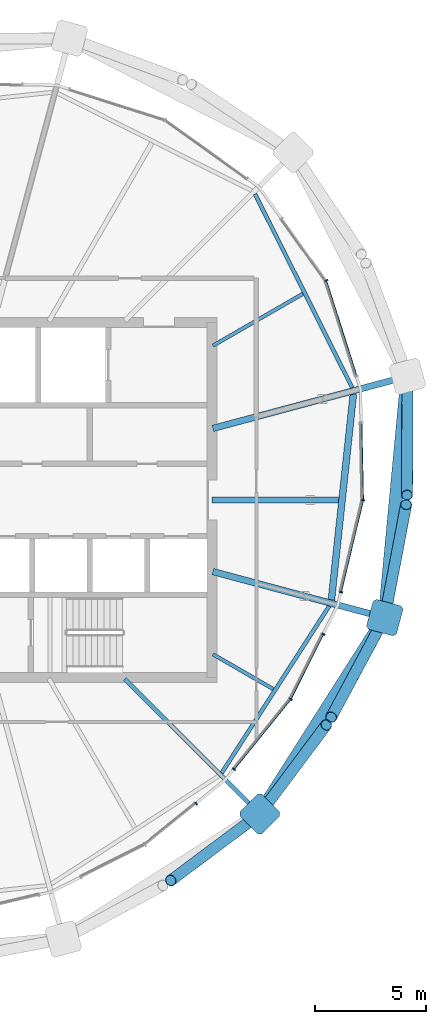
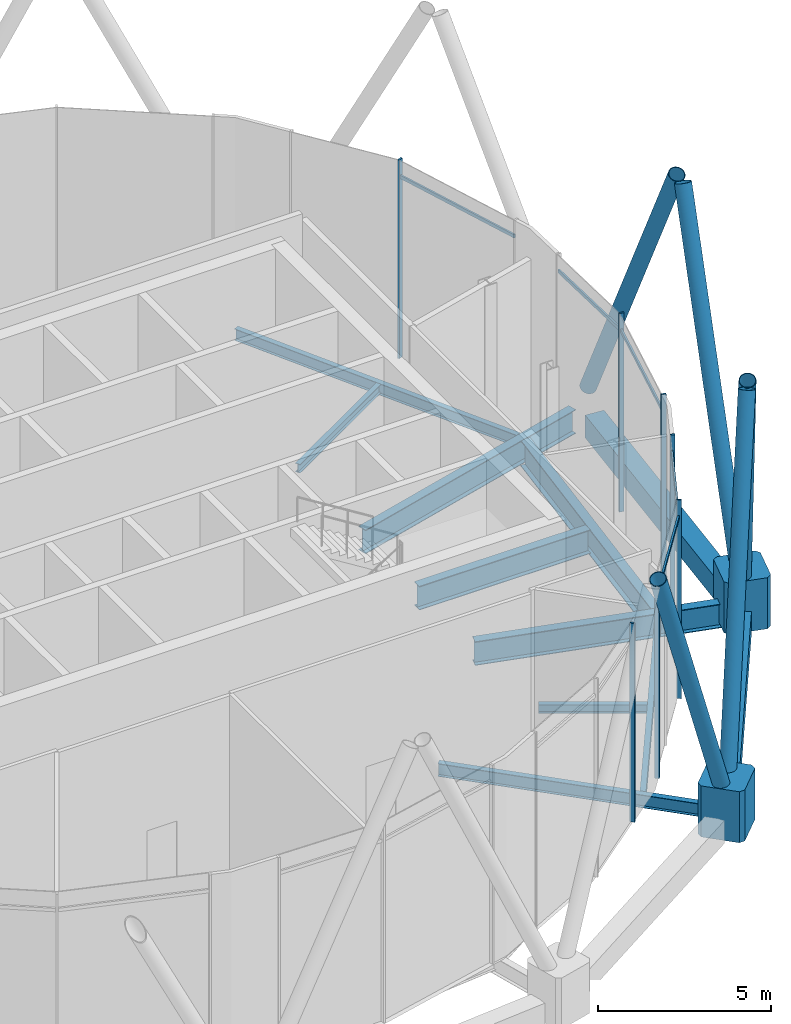
# One storey, part 12 of 28: 19 members, 11 beams, 1 element without a shape of its own.
"""IFC4 building model written with IfcOpenShell, lengths in metres."""

from ifc_helpers import new_model, si_unit, direction, frame, origin, origin_2d, place, context, subcontext, project, spatial, polyline, rectangle, hollow_rectangle, hollow_circle, i_section, outline, extrude, material, material_profile, profile_set, type_object, element, aggregate, save


model = new_model("IFC4")

# Units and contexts
model_context = context("Model", 3, precision=1e-05, world=origin(), true_north=direction((0.0, 1.0)))
body_context = subcontext(model_context, "Body", "Model", "MODEL_VIEW")
ifc_project = project(units=[si_unit("LENGTHUNIT", "METRE"), si_unit("AREAUNIT", "SQUARE_METRE"), si_unit("VOLUMEUNIT", "CUBIC_METRE"), si_unit("PLANEANGLEUNIT", "RADIAN"), si_unit("MASSUNIT", "GRAM", prefix="KILO")], contexts=[model_context])

# Site, building, storey
site_placement = place(None, origin())
site = spatial("IfcSite", under=ifc_project, at=site_placement, CompositionType="ELEMENT")
building_placement = place(site_placement, origin())
building = spatial("IfcBuilding", under=site, at=building_placement, Name="Rimbun Link Towers", CompositionType="ELEMENT")
storey_placement = place(building_placement, frame((0.0, 0.0, 256.10009765625)))
storey = spatial("IfcBuildingStorey", under=building, at=storey_placement, Name="L63", CompositionType="ELEMENT", Elevation=256.10009765625)

# Curtain wall, members
ifc_material_1 = material(Name="Aluminium 6063-T6 and low-iron glass", Category="aluminium")
curtain_wall_type = type_object("IfcCurtainWallType", Name="CW5 full height lobby wall", PredefinedType="NOTDEFINED", material=ifc_material_1)
curtain_wall_placement = place(storey_placement, origin())
curtain_wall = element("IfcCurtainWall", 1, at=curtain_wall_placement, inside=storey, type_object=curtain_wall_type, Name="CW5 L63 T2", PredefinedType="NOTDEFINED")
ifc_material_2 = material(Name="Aluminium 6063-T6", Category="aluminium")
ifc_material_profile_1 = material_profile(ifc_material_2, rectangle(XDim=0.14990234375, YDim=0.06005859375, at=origin_2d()), Name="MULLION 60X150")
ifc_profile_set_1 = profile_set([ifc_material_profile_1], Name="Aluminium 6063-T6")
member_type_1 = type_object("IfcMemberType", Name="CW5 mullion 60X150", PredefinedType="MULLION", material=ifc_profile_set_1)
member_1_placement = place(storey_placement, frame((43.037109375, -13.689208984375, 0.0), z_axis=(0.0, 0.0, 1.0), x_axis=(0.629143843402, -0.777288893726, 0.0)))
member_1 = element("IfcMember", 2, at=member_1_placement, type_object=member_type_1, Name="CW5 mullion", PredefinedType="MULLION", context=body_context, shape_type="SweptSolid", body=[
    extrude(rectangle(XDim=0.14990234375, YDim=0.06005859375, at=origin_2d()), origin(), (0.0, 0.0, 1.0), 7.0),
])
member_2_placement = place(storey_placement, frame((47.302978515625, -8.983642578125, 0.0), z_axis=(0.0, 0.0, 1.0), x_axis=(0.840316623202, -0.542095907354, 0.0)))
member_2 = element("IfcMember", 3, at=member_2_placement, type_object=member_type_1, Name="CW5 mullion", PredefinedType="MULLION", context=body_context, shape_type="SweptSolid", body=[
    extrude(rectangle(XDim=0.14990234375, YDim=0.06005859375, at=origin_2d()), origin(), (0.0, 0.0, 1.0), 7.0),
])
member_3_placement = place(storey_placement, frame((44.7470703125, -12.14208984375, 0.0), z_axis=(0.0, 0.0, 1.0), x_axis=(0.777288893726, -0.629143843402, 0.0)))
member_3 = element("IfcMember", 4, at=member_3_placement, type_object=member_type_1, Name="CW5 mullion", PredefinedType="MULLION", context=body_context, shape_type="SweptSolid", body=[
    extrude(rectangle(XDim=0.14990234375, YDim=0.06005859375, at=origin_2d()), origin(), (0.0, 0.0, 1.0), 7.0),
])
member_4_placement = place(storey_placement, frame((48.777587890625, -6.04833984375, 0.0), z_axis=(0.0, 0.0, 1.0), x_axis=(0.893638831927, -0.448786851491, 0.0)))
member_4 = element("IfcMember", 5, at=member_4_placement, type_object=member_type_1, Name="CW5 mullion", PredefinedType="MULLION", context=body_context, shape_type="SweptSolid", body=[
    extrude(rectangle(XDim=0.14990234375, YDim=0.06005859375, at=origin_2d()), origin(), (0.0, 0.0, 1.0), 7.0),
])
member_5_placement = place(storey_placement, frame((50.564453125, -0.008056640625, 0.0), z_axis=(0.0, 0.0, 1.0), x_axis=(0.994297489932, -0.106641931315, 0.0)))
member_5 = element("IfcMember", 6, at=member_5_placement, type_object=member_type_1, Name="CW5 mullion", PredefinedType="MULLION", context=body_context, shape_type="SweptSolid", body=[
    extrude(rectangle(XDim=0.14990234375, YDim=0.06005859375, at=origin_2d()), origin(), (0.0, 0.0, 1.0), 7.0),
])
member_6_placement = place(storey_placement, frame((49.57373046875, -4.15283203125, 0.0), z_axis=(0.0, 0.0, 1.0), x_axis=(0.972571087452, -0.232605846557, 0.0)))
member_6 = element("IfcMember", 7, at=member_6_placement, type_object=member_type_1, Name="CW5 mullion", PredefinedType="MULLION", context=body_context, shape_type="SweptSolid", body=[
    extrude(rectangle(XDim=0.14990234375, YDim=0.06005859375, at=origin_2d()), origin(), (0.0, 0.0, 1.0), 7.0),
])
member_7_placement = place(storey_placement, frame((48.902587890625, 9.89794921875, 0.0), z_axis=(0.0, 0.0, 1.0), x_axis=(0.893745040408, 0.448575303316, 0.0)))
member_7 = element("IfcMember", 8, at=member_7_placement, type_object=member_type_1, Name="CW5 mullion", PredefinedType="MULLION", context=body_context, shape_type="SweptSolid", body=[
    extrude(rectangle(XDim=0.14990234375, YDim=0.06005859375, at=origin_2d()), origin(), (0.0, 0.0, 1.0), 7.0),
])
ifc_material_3 = material(Name="Aluminium 6063-T6", Category="aluminium")
ifc_material_profile_2 = material_profile(ifc_material_3, rectangle(XDim=0.06005859375, YDim=0.1201171875, at=origin_2d()), Name="TRANSOM 60X120")
ifc_profile_set_2 = profile_set([ifc_material_profile_2], Name="Aluminium 6063-T6")
member_type_2 = type_object("IfcMemberType", Name="CW5 transom 60X120", PredefinedType="USERDEFINED", material=ifc_profile_set_2)
member_8_placement = place(storey_placement, frame((47.269287109375, -9.00537109375, 6.39990234375), z_axis=(-0.629149002871, -0.777284717582, 0.0), x_axis=(0.777284717582, -0.629149002871, 0.0)))
member_8 = element("IfcMember", 9, at=member_8_placement, type_object=member_type_2, Name="CW5 transom", ObjectType="TRANSOM", PredefinedType="USERDEFINED", context=body_context, shape_type="SweptSolid", body=[
    extrude(rectangle(XDim=0.06005859375, YDim=0.1201171875, at=origin_2d()), origin(), (0.0, 0.0, 1.0), 3.994873046875),
])
member_9_placement = place(storey_placement, frame((48.75244140625, -6.0693359375, 6.39990234375), z_axis=(-0.448761162903, -0.893651732315, 0.0), x_axis=(0.893651732315, -0.448761162903, 0.0)))
member_9 = element("IfcMember", 10, at=member_9_placement, type_object=member_type_2, Name="CW5 transom", ObjectType="TRANSOM", PredefinedType="USERDEFINED", context=body_context, shape_type="SweptSolid", body=[
    extrude(rectangle(XDim=0.06005859375, YDim=0.1201171875, at=origin_2d()), origin(), (0.0, 0.0, 1.0), 3.216796875),
])
member_10_placement = place(storey_placement, frame((50.543212890625, -0.043701171875, 6.39990234375), z_axis=(-0.232615129967, -0.97256886713, 0.0), x_axis=(0.97256886713, -0.232615129967, 0.0)))
member_10 = element("IfcMember", 11, at=member_10_placement, type_object=member_type_2, Name="CW5 transom", ObjectType="TRANSOM", PredefinedType="USERDEFINED", context=body_context, shape_type="SweptSolid", body=[
    extrude(rectangle(XDim=0.06005859375, YDim=0.1201171875, at=origin_2d()), origin(), (0.0, 0.0, 1.0), 4.19189453125),
])
member_11_placement = place(storey_placement, frame((50.47900390625, 3.46484375, 6.39990234375), z_axis=(0.021041984038, -0.999778592943, 0.0), x_axis=(0.999778592943, 0.021041984038, 0.0)))
member_11 = element("IfcMember", 12, at=member_11_placement, type_object=member_type_2, Name="CW5 transom", ObjectType="TRANSOM", PredefinedType="USERDEFINED", context=body_context, shape_type="SweptSolid", body=[
    extrude(rectangle(XDim=0.06005859375, YDim=0.1201171875, at=origin_2d()), origin(), (0.0, 0.0, 1.0), 3.434326171875),
])
member_12_placement = place(storey_placement, frame((48.903564453125, 9.8544921875, 6.39990234375), z_axis=(0.30311763577, -0.952953146217, 0.0), x_axis=(0.952953146217, 0.30311763577, 0.0)))
member_12 = element("IfcMember", 13, at=member_12_placement, type_object=member_type_2, Name="CW5 transom", ObjectType="TRANSOM", PredefinedType="USERDEFINED", context=body_context, shape_type="SweptSolid", body=[
    extrude(rectangle(XDim=0.06005859375, YDim=0.1201171875, at=origin_2d()), origin(), (0.0, 0.0, 1.0), 4.45166015625),
])
aggregate(curtain_wall, [member_1, member_2, member_3, member_4, member_5, member_6, member_7, member_8, member_9, member_10, member_11, member_12])

# Members
ifc_material_4 = material(Name="Steel S355J2H", Category="steel")
ifc_material_profile_3 = material_profile(ifc_material_4, hollow_circle(Radius=0.25390625, WallThickness=0.02001953125, at=origin_2d()), Name="Diagrid diagonal CHS 508x20")
ifc_profile_set_3 = profile_set([ifc_material_profile_3], Name="Steel S355J2H")
member_type_3 = type_object("IfcMemberType", Name="Diagrid diagonal CHS 508x20", PredefinedType="BRACE", material=ifc_profile_set_3)
for number, where, z_axis, x_axis, name in (
    (14, (45.73681640625, -14.27587890625, 0.455322265625), (-0.330964194189, -0.247189079375, 0.910692187955), (0.598396701888, -0.801199967031, 0.0), "Diagrid diagonal T2 L63-L65 18a"),
    (15, (46.02587890625, -13.98681640625, 0.455322265625), (0.247189079375, 0.330964194189, 0.910692187955), (-0.801199967031, 0.598396701888, 0.0), "Diagrid diagonal T2 L63-L65 18b"),
):
    element("IfcMember", number, at=place(storey_placement, frame(where, z_axis=z_axis, x_axis=x_axis)), inside=storey, type_object=member_type_3, Name=name, PredefinedType="BRACE", context=body_context, shape_type="SweptSolid", body=[
        extrude(hollow_circle(Radius=0.25390625, WallThickness=0.02001953125, at=origin_2d()), origin(), (0.0, 0.0, 1.0), 11.6279296875),
    ])
member_13_placement = place(storey_placement, frame((51.435546875, -5.485595703125, 0.453857421875), z_axis=(-0.198275544432, -0.368901770359, 0.908073946497), x_axis=(0.880833514859, -0.473426149575, 0.0)))
element("IfcMember", 16, at=member_13_placement, inside=storey, type_object=member_type_3, Name="Diagrid diagonal T2 L63-L65 20a", PredefinedType="BRACE", context=body_context, shape_type="SweptSolid", body=[
    extrude(hollow_circle(Radius=0.25390625, WallThickness=0.02001953125, at=origin_2d()), origin(), (0.0, 0.0, 1.0), 11.664306640625),
])
member_14_placement = place(storey_placement, frame((51.57421875, -5.092529296875, 0.452392578125), z_axis=(0.079188760981, 0.417305578151, 0.905309446862), x_axis=(-0.982467296447, 0.186435005865, 0.0)))
element("IfcMember", 17, at=member_14_placement, inside=storey, type_object=member_type_3, Name="Diagrid diagonal T2 L63-L65 20b", PredefinedType="BRACE", context=body_context, shape_type="SweptSolid", body=[
    extrude(hollow_circle(Radius=0.25390625, WallThickness=0.02001953125, at=origin_2d()), origin(), (0.0, 0.0, 1.0), 11.703125),
])
member_15_placement = place(storey_placement, frame((52.557373046875, 5.357421875, 0.44970703125), z_axis=(-0.001367788692, -0.436262420484, 0.899818442591), x_axis=(0.999995085162, -0.003135227572, 0.0)))
element("IfcMember", 18, at=member_15_placement, inside=storey, type_object=member_type_3, Name="Diagrid diagonal T2 L63-L65 22a", PredefinedType="BRACE", context=body_context, shape_type="SweptSolid", body=[
    extrude(hollow_circle(Radius=0.25390625, WallThickness=0.02001953125, at=origin_2d()), origin(), (0.0, 0.0, 1.0), 11.780517578125),
])
ifc_material_5 = material(Name="Cast steel G20Mn5+QT, Rp0.2 300 MPa", Category="steel")
ifc_material_profile_4 = material_profile(ifc_material_5, outline(polyline([(0.699951171875, -0.570068359375), (0.699951171875, 0.570068359375), (0.570068359375, 0.699951171875), (-0.570068359375, 0.699951171875), (-0.699951171875, 0.570068359375), (-0.699951171875, -0.570068359375), (-0.570068359375, -0.699951171875), (0.570068359375, -0.699951171875), (0.699951171875, -0.570068359375)])), Name="NODE 1400x1400")
ifc_profile_set_4 = profile_set([ifc_material_profile_4], Name="Cast steel G20Mn5+QT, Rp0.2 300 MPa")
member_type_4 = type_object("IfcMemberType", Name="Diagrid node cast 1400", PredefinedType="USERDEFINED", material=ifc_profile_set_4)
for number, where, z_axis, x_axis, name in (
    (19, (45.90234375, -14.15234375, -0.900146484375), (0.0, 0.0, 1.0), (0.707106781187, -0.707106781187, 0.0), "Diagrid node L63 18"),
    (20, (51.53466796875, -5.30126953125, -0.900146484375), (0.0, 0.0, 1.0), (0.965925826289, -0.258819045103, 0.0), "Diagrid node L63 20"),
):
    element("IfcMember", number, at=place(storey_placement, frame(where, z_axis=z_axis, x_axis=x_axis)), inside=storey, type_object=member_type_4, Name=name, ObjectType="Diagrid node", PredefinedType="USERDEFINED", context=body_context, shape_type="SweptSolid", body=[
        extrude(outline(polyline([(0.699951171875, -0.570068359375), (0.699951171875, 0.570068359375), (0.570068359375, 0.699951171875), (-0.570068359375, 0.699951171875), (-0.699951171875, 0.570068359375), (-0.699951171875, -0.570068359375), (-0.570068359375, -0.699951171875), (0.570068359375, -0.699951171875), (0.699951171875, -0.570068359375)])), origin(), (0.0, 0.0, 1.0), 1.800048828125),
    ])

# Beams
ifc_material_6 = material(Name="Steel S355J2", Category="steel")
ifc_material_profile_5 = material_profile(ifc_material_6, hollow_rectangle(XDim=0.60009765625, YDim=0.800048828125, WallThickness=0.0400390625, at=origin_2d()), Name="Exoskeleton ring girder BOX 600x800x40")
ifc_profile_set_5 = profile_set([ifc_material_profile_5], Name="Steel S355J2")
beam_type_1 = type_object("IfcBeamType", Name="Exoskeleton ring girder BOX 600x800x40", PredefinedType="BEAM", material=ifc_profile_set_5)
beam_1_placement = place(storey_placement, frame((46.278076171875, -13.561767578125, -0.56005859375), z_axis=(0.536856377683, 0.843673651207, 0.0), x_axis=(-0.843673651207, 0.536856377683, 0.0)))
element("IfcBeam", 21, at=beam_1_placement, inside=storey, type_object=beam_type_1, Name="Exoskeleton ring girder L63 09", PredefinedType="BEAM", context=body_context, shape_type="SweptSolid", body=[
    extrude(hollow_rectangle(XDim=0.60009765625, YDim=0.800048828125, WallThickness=0.0400390625, at=origin_2d()), origin(), (0.0, 0.0, 1.0), 9.091064453125),
])
beam_2_placement = place(storey_placement, frame((51.60009765625, -4.6044921875, -0.56005859375), z_axis=(0.093682918903, 0.995602084523, 0.0), x_axis=(-0.995602084523, 0.093682918903, 0.0)))
element("IfcBeam", 22, at=beam_2_placement, inside=storey, type_object=beam_type_1, Name="Exoskeleton ring girder L63 10", PredefinedType="BEAM", context=body_context, shape_type="SweptSolid", body=[
    extrude(hollow_rectangle(XDim=0.60009765625, YDim=0.800048828125, WallThickness=0.0400390625, at=origin_2d()), origin(), (0.0, 0.0, 1.0), 9.525146484375),
])
ifc_material_7 = material(Name="Steel S355J2", Category="steel")
ifc_material_profile_6 = material_profile(ifc_material_7, i_section(OverallWidth=0.1650390625, OverallDepth=0.303466796875, WebThickness=0.006103515625, FlangeThickness=0.01025390625, at=origin_2d()), Name="UB 305x165x40")
ifc_profile_set_6 = profile_set([ifc_material_profile_6], Name="Steel S355J2")
beam_type_2 = type_object("IfcBeamType", Name="UB 305x165x40", PredefinedType="BEAM", material=ifc_profile_set_6)
beam_3_placement = place(storey_placement, frame((43.7919921875, -6.952392578125, -0.331787109375), z_axis=(0.866035522163, -0.499982474044, 0.0), x_axis=(0.499982474044, 0.866035522163, 0.0)))
element("IfcBeam", 23, at=beam_3_placement, inside=storey, type_object=beam_type_2, Name="Radial beam T2 L63 19", PredefinedType="BEAM", context=body_context, shape_type="SweptSolid", body=[
    extrude(i_section(OverallWidth=0.1650390625, OverallDepth=0.303466796875, WebThickness=0.006103515625, FlangeThickness=0.01025390625, at=origin_2d()), origin(), (0.0, 0.0, 1.0), 3.142578125),
])
beam_4_placement = place(storey_placement, frame((43.7919921875, 6.952392578125, -0.331787109375), z_axis=(0.866029224906, 0.499993381564, 0.0), x_axis=(-0.499993381564, 0.866029224906, 0.0)))
element("IfcBeam", 24, at=beam_4_placement, inside=storey, type_object=beam_type_2, Name="Radial beam T2 L63 23", PredefinedType="BEAM", context=body_context, shape_type="SweptSolid", body=[
    extrude(i_section(OverallWidth=0.1650390625, OverallDepth=0.303466796875, WebThickness=0.006103515625, FlangeThickness=0.01025390625, at=origin_2d()), origin(), (0.0, 0.0, 1.0), 4.68017578125),
])
ifc_material_8 = material(Name="Steel S355J2", Category="steel")
ifc_material_profile_7 = material_profile(ifc_material_8, i_section(OverallWidth=0.177978515625, OverallDepth=0.406494140625, WebThickness=0.0078125, FlangeThickness=0.0126953125, at=origin_2d()), Name="UB 406x178x60")
ifc_profile_set_7 = profile_set([ifc_material_profile_7], Name="Steel S355J2")
beam_type_3 = type_object("IfcBeamType", Name="UB 406x178x60", PredefinedType="BEAM", material=ifc_profile_set_7)
beam_5_placement = place(storey_placement, frame((44.186767578125, -12.301025390625, -0.38330078125), z_axis=(0.541630612498, 0.840616606787, 0.0), x_axis=(-0.840616606787, 0.541630612498, 0.0)))
element("IfcBeam", 25, at=beam_5_placement, inside=storey, type_object=beam_type_3, Name="Edge beam T2 L63 18-20", PredefinedType="BEAM", context=body_context, shape_type="SweptSolid", body=[
    extrude(i_section(OverallWidth=0.177978515625, OverallDepth=0.406494140625, WebThickness=0.0078125, FlangeThickness=0.0126953125, at=origin_2d()), origin(), (0.0, 0.0, 1.0), 8.94384765625),
])
beam_6_placement = place(storey_placement, frame((50.068603515625, 5.060791015625, -0.38330078125), z_axis=(-0.448423113777, 0.893821408913, 0.0), x_axis=(-0.893821408913, -0.448423113777, 0.0)))
element("IfcBeam", 26, at=beam_6_placement, inside=storey, type_object=beam_type_3, Name="Edge beam T2 L63 22-00", PredefinedType="BEAM", context=body_context, shape_type="SweptSolid", body=[
    extrude(i_section(OverallWidth=0.177978515625, OverallDepth=0.406494140625, WebThickness=0.0078125, FlangeThickness=0.0126953125, at=origin_2d()), origin(), (0.0, 0.0, 1.0), 9.76611328125),
])
ifc_material_9 = material(Name="Steel S355J2", Category="steel")
ifc_material_profile_8 = material_profile(ifc_material_9, i_section(OverallWidth=0.18994140625, OverallDepth=0.453369140625, WebThickness=0.008544921875, FlangeThickness=0.0126953125, at=origin_2d()), Name="UB 457x191x67")
ifc_profile_set_8 = profile_set([ifc_material_profile_8], Name="Steel S355J2")
beam_type_4 = type_object("IfcBeamType", Name="UB 457x191x67", PredefinedType="BEAM", material=ifc_profile_set_8)
beam_7_placement = place(storey_placement, frame((39.81787109375, -8.06787109375, -0.40673828125), z_axis=(0.707106781187, -0.707106781187, 0.0), x_axis=(0.707106781187, 0.707106781187, 0.0)))
element("IfcBeam", 27, at=beam_7_placement, inside=storey, type_object=beam_type_4, Name="Radial beam T2 L63 18", PredefinedType="BEAM", context=body_context, shape_type="SweptSolid", body=[
    extrude(i_section(OverallWidth=0.18994140625, OverallDepth=0.453369140625, WebThickness=0.008544921875, FlangeThickness=0.0126953125, at=origin_2d()), origin(), (0.0, 0.0, 1.0), 8.1044921875),
])
ifc_material_10 = material(Name="Steel S355J2", Category="steel")
ifc_material_profile_9 = material_profile(ifc_material_10, i_section(OverallWidth=0.29248046875, OverallDepth=0.8408203125, WebThickness=0.0126953125, FlangeThickness=0.021728515625, at=origin_2d()), Name="UB 838x292x194")
ifc_profile_set_9 = profile_set([ifc_material_profile_9], Name="Steel S355J2")
beam_type_5 = type_object("IfcBeamType", Name="UB 838x292x194", PredefinedType="BEAM", material=ifc_profile_set_9)
beam_8_placement = place(storey_placement, frame((43.788818359375, -3.225830078125, -0.600341796875), z_axis=(0.965925441324, -0.258820481807, 0.0), x_axis=(0.258820481807, 0.965925441324, 0.0)))
element("IfcBeam", 28, at=beam_8_placement, inside=storey, type_object=beam_type_5, Name="Radial beam T2 L63 20", PredefinedType="BEAM", context=body_context, shape_type="SweptSolid", body=[
    extrude(i_section(OverallWidth=0.29248046875, OverallDepth=0.8408203125, WebThickness=0.0126953125, FlangeThickness=0.021728515625, at=origin_2d()), origin(), (0.0, 0.0, 1.0), 7.518798828125),
])
beam_9_placement = place(storey_placement, frame((43.7509765625, 0.0, -0.600341796875), z_axis=(1.0, 0.0, 0.0), x_axis=(0.0, 1.0, 0.0)))
element("IfcBeam", 29, at=beam_9_placement, inside=storey, type_object=beam_type_5, Name="Radial beam T2 L63 21", PredefinedType="BEAM", context=body_context, shape_type="SweptSolid", body=[
    extrude(i_section(OverallWidth=0.29248046875, OverallDepth=0.8408203125, WebThickness=0.0126953125, FlangeThickness=0.021728515625, at=origin_2d()), origin(), (0.0, 0.0, 1.0), 5.705322265625),
])
beam_10_placement = place(storey_placement, frame((43.788818359375, 3.225830078125, -0.600341796875), z_axis=(0.965927217898, 0.25881385149, 0.0), x_axis=(-0.25881385149, 0.965927217898, 0.0)))
element("IfcBeam", 30, at=beam_10_placement, inside=storey, type_object=beam_type_5, Name="Radial beam T2 L63 22", PredefinedType="BEAM", context=body_context, shape_type="SweptSolid", body=[
    extrude(i_section(OverallWidth=0.29248046875, OverallDepth=0.8408203125, WebThickness=0.0126953125, FlangeThickness=0.021728515625, at=origin_2d()), origin(), (0.0, 0.0, 1.0), 8.578369140625),
])
ifc_material_11 = material(Name="Steel S355J2", Category="steel")
ifc_material_profile_10 = material_profile(ifc_material_11, i_section(OverallWidth=0.305419921875, OverallDepth=0.91845703125, WebThickness=0.017333984375, FlangeThickness=0.02783203125, at=origin_2d()), Name="UB 914x305x253")
ifc_profile_set_10 = profile_set([ifc_material_profile_10], Name="Steel S355J2")
beam_type_6 = type_object("IfcBeamType", Name="UB 914x305x253", PredefinedType="BEAM", material=ifc_profile_set_10)
beam_11_placement = place(storey_placement, frame((49.130615234375, -4.504638671875, -0.639404296875), z_axis=(0.106011838323, 0.99436486771, 0.0), x_axis=(-0.99436486771, 0.106011838323, 0.0)))
element("IfcBeam", 31, at=beam_11_placement, inside=storey, type_object=beam_type_6, Name="Edge beam T2 L63 20-22", PredefinedType="BEAM", context=body_context, shape_type="SweptSolid", body=[
    extrude(i_section(OverallWidth=0.305419921875, OverallDepth=0.91845703125, WebThickness=0.017333984375, FlangeThickness=0.02783203125, at=origin_2d()), origin(), (0.0, 0.0, 1.0), 9.326904296875),
])

save(model, "model.ifc")
